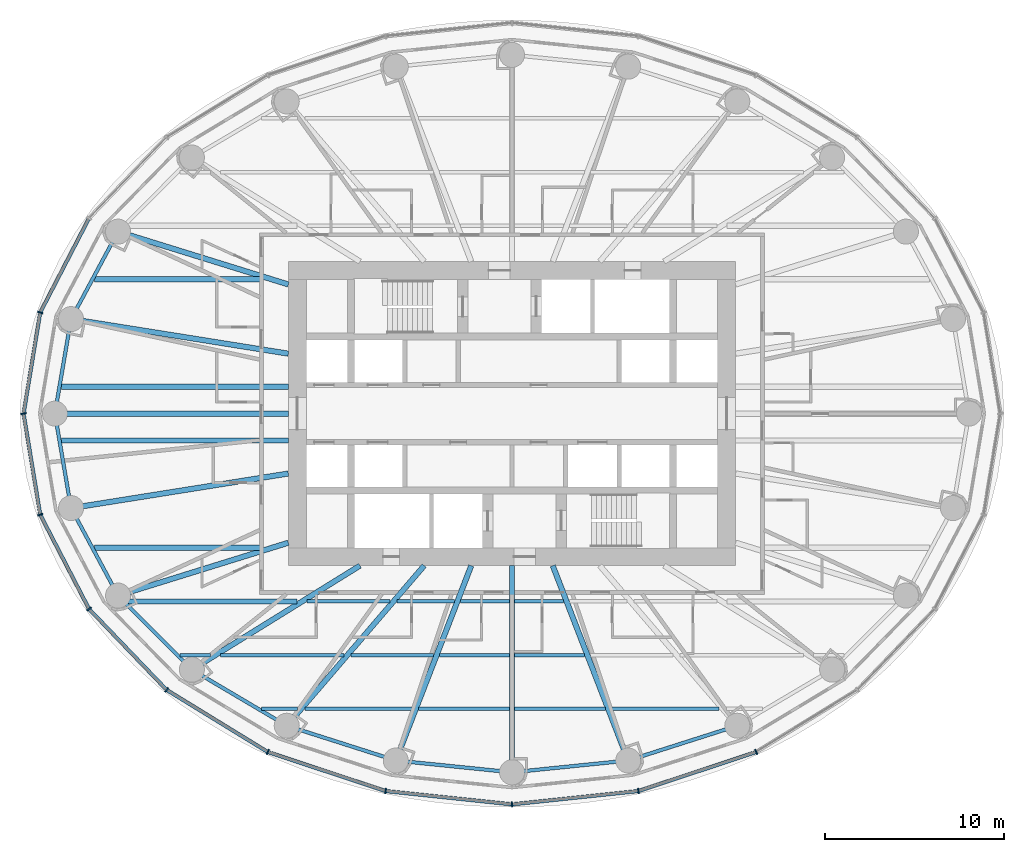
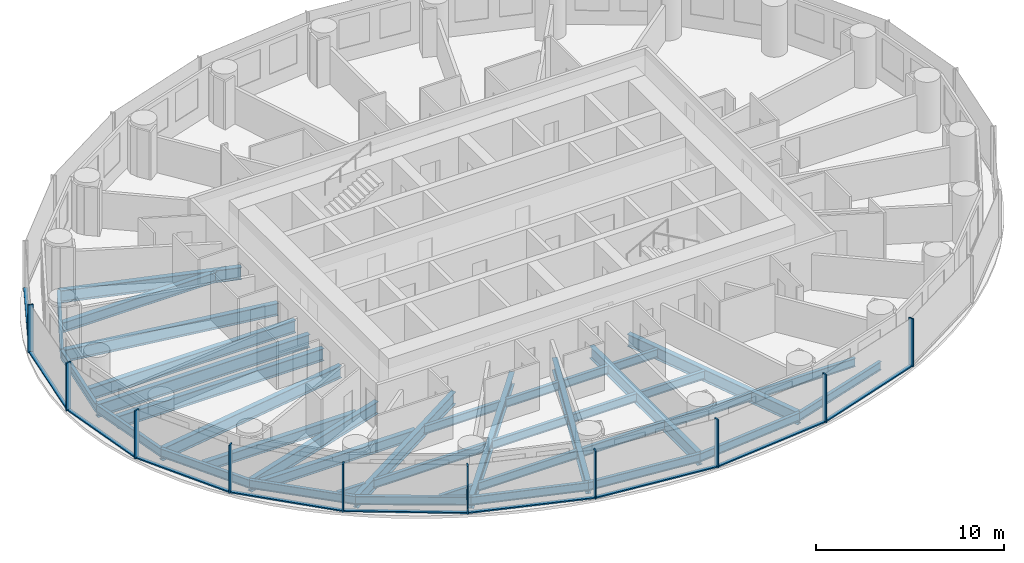
# One storey, part 2 of 14: 39 beams, 20 members, 3 elements without a shape of their own.
"""IFC4 building model written with IfcOpenShell, lengths in metres."""

from ifc_helpers import new_model, si_unit, direction, frame, origin, origin_2d, place, context, subcontext, project, spatial, rectangle, i_section, extrude, material, material_profile, profile_set, type_object, element, aggregate, save


model = new_model("IFC4")

# Units and contexts
model_context = context("Model", 3, precision=1e-05, world=origin(), true_north=direction((0.0, 1.0)))
body_context = subcontext(model_context, "Body", "Model", "MODEL_VIEW")
ifc_project = project(units=[si_unit("LENGTHUNIT", "METRE"), si_unit("AREAUNIT", "SQUARE_METRE"), si_unit("VOLUMEUNIT", "CUBIC_METRE"), si_unit("PLANEANGLEUNIT", "RADIAN"), si_unit("MASSUNIT", "GRAM", prefix="KILO")], contexts=[model_context])

# Site, building, storey
site_placement = place(None, origin())
site = spatial("IfcSite", under=ifc_project, at=site_placement, CompositionType="ELEMENT")
building_placement = place(site_placement, origin())
building = spatial("IfcBuilding", under=site, at=building_placement, Name="Hankou Lantern Tower", CompositionType="ELEMENT")
storey_placement = place(building_placement, frame((0.0, 0.0, 60.60009765625)))
storey = spatial("IfcBuildingStorey", under=building, at=storey_placement, Name="L14", CompositionType="ELEMENT", Elevation=60.60009765625)

# Beams
ifc_material_1 = material(Name="Steel Q355B", Category="steel")
ifc_material_profile_1 = material_profile(ifc_material_1, i_section(OverallWidth=0.199951171875, OverallDepth=0.550048828125, WebThickness=0.010009765625, FlangeThickness=0.01611328125, FilletRadius=0.012939453125, at=origin_2d()), Name="HN550x200x10x16")
ifc_profile_set_1 = profile_set([ifc_material_profile_1], Name="Steel Q355B")
beam_type_1 = type_object("IfcBeamType", Name="EB6 RING BEAM HN550x200x10x16", PredefinedType="SPANDREL", material=ifc_profile_set_1)
beam_1_placement = place(storey_placement, frame((-22.01904296875, 10.170166015625, -0.455078125), z_axis=(-0.473609096023, -0.880735161194, 0.0), x_axis=(0.880735161194, -0.473609096023, 0.0)))
element("IfcBeam", 1, at=beam_1_placement, inside=storey, type_object=beam_type_1, Name="Ring beam R11-R12 L14", PredefinedType="SPANDREL", context=body_context, shape_type="SweptSolid", body=[
    extrude(i_section(OverallWidth=0.199951171875, OverallDepth=0.550048828125, WebThickness=0.010009765625, FlangeThickness=0.01611328125, FilletRadius=0.012939453125, at=origin_2d()), origin(), (0.0, 0.0, 1.0), 5.548828125),
])
for number, where, z_axis, x_axis, name in (
    (2, (-24.64697265625, 5.283203125, -0.455078125), (-0.168489691988, -0.985703415685, 0.0), (0.985703415685, -0.168489691988, 0.0), "Ring beam R12-R13 L14"),
    (3, (-25.550048828125, 0.0, -0.455078125), (0.168489691988, -0.985703415685, 0.0), (0.985703415685, 0.168489691988, 0.0), "Ring beam R13-R14 L14"),
):
    element("IfcBeam", number, at=place(storey_placement, frame(where, z_axis=z_axis, x_axis=x_axis)), inside=storey, type_object=beam_type_1, Name=name, PredefinedType="SPANDREL", context=body_context, shape_type="SweptSolid", body=[
        extrude(i_section(OverallWidth=0.199951171875, OverallDepth=0.550048828125, WebThickness=0.010009765625, FlangeThickness=0.01611328125, FilletRadius=0.012939453125, at=origin_2d()), origin(), (0.0, 0.0, 1.0), 5.35986328125),
    ])
beam_2_placement = place(storey_placement, frame((-24.64697265625, -5.283203125, -0.455078125), z_axis=(0.473609096023, -0.880735161194, 0.0), x_axis=(0.880735161194, 0.473609096023, 0.0)))
element("IfcBeam", 4, at=beam_2_placement, inside=storey, type_object=beam_type_1, Name="Ring beam R14-R15 L14", PredefinedType="SPANDREL", context=body_context, shape_type="SweptSolid", body=[
    extrude(i_section(OverallWidth=0.199951171875, OverallDepth=0.550048828125, WebThickness=0.010009765625, FlangeThickness=0.01611328125, FilletRadius=0.012939453125, at=origin_2d()), origin(), (0.0, 0.0, 1.0), 5.548828125),
])
beam_3_placement = place(storey_placement, frame((-22.01904296875, -10.170166015625, -0.455078125), z_axis=(0.705727798394, -0.708483079949, 0.0), x_axis=(0.708483079949, 0.705727798394, 0.0)))
element("IfcBeam", 5, at=beam_3_placement, inside=storey, type_object=beam_type_1, Name="Ring beam R15-R16 L14", PredefinedType="SPANDREL", context=body_context, shape_type="SweptSolid", body=[
    extrude(i_section(OverallWidth=0.199951171875, OverallDepth=0.550048828125, WebThickness=0.010009765625, FlangeThickness=0.01611328125, FilletRadius=0.012939453125, at=origin_2d()), origin(), (0.0, 0.0, 1.0), 5.84814453125),
])
beam_4_placement = place(storey_placement, frame((-17.891845703125, -14.3134765625, -0.455078125), z_axis=(0.860881533543, -0.508805449268, 0.0), x_axis=(0.508805449268, 0.860881533543, 0.0)))
element("IfcBeam", 6, at=beam_4_placement, inside=storey, type_object=beam_type_1, Name="Ring beam R16-R17 L14", PredefinedType="SPANDREL", context=body_context, shape_type="SweptSolid", body=[
    extrude(i_section(OverallWidth=0.199951171875, OverallDepth=0.550048828125, WebThickness=0.010009765625, FlangeThickness=0.01611328125, FilletRadius=0.012939453125, at=origin_2d()), origin(), (0.0, 0.0, 1.0), 6.15771484375),
])
beam_5_placement = place(storey_placement, frame((-12.5908203125, -17.446533203125, -0.455078125), z_axis=(0.952690479428, -0.303942182671, 0.0), x_axis=(0.303942182671, 0.952690479428, 0.0)))
element("IfcBeam", 7, at=beam_5_placement, inside=storey, type_object=beam_type_1, Name="Ring beam R17-R18 L14", PredefinedType="SPANDREL", context=body_context, shape_type="SweptSolid", body=[
    extrude(i_section(OverallWidth=0.199951171875, OverallDepth=0.550048828125, WebThickness=0.010009765625, FlangeThickness=0.01611328125, FilletRadius=0.012939453125, at=origin_2d()), origin(), (0.0, 0.0, 1.0), 6.398681640625),
])
for number, where, z_axis, x_axis, name in (
    (8, (-6.494873046875, -19.391357421875, -0.455078125), (0.994896616842, -0.100899562915, 0.0), (0.100899562915, 0.994896616842, 0.0), "Ring beam R18-R19 L14"),
    (9, (0.0, -20.050048828125, -0.455078125), (0.994896616842, 0.100899562915, 0.0), (-0.100899562915, 0.994896616842, 0.0), "Ring beam R19-R20 L14"),
):
    element("IfcBeam", number, at=place(storey_placement, frame(where, z_axis=z_axis, x_axis=x_axis)), inside=storey, type_object=beam_type_1, Name=name, PredefinedType="SPANDREL", context=body_context, shape_type="SweptSolid", body=[
        extrude(i_section(OverallWidth=0.199951171875, OverallDepth=0.550048828125, WebThickness=0.010009765625, FlangeThickness=0.01611328125, FilletRadius=0.012939453125, at=origin_2d()), origin(), (0.0, 0.0, 1.0), 6.528076171875),
    ])
beam_6_placement = place(storey_placement, frame((6.494873046875, -19.391357421875, -0.455078125), z_axis=(0.952690479428, 0.303942182671, 0.0), x_axis=(-0.303942182671, 0.952690479428, 0.0)))
element("IfcBeam", 10, at=beam_6_placement, inside=storey, type_object=beam_type_1, Name="Ring beam R20-R21 L14", PredefinedType="SPANDREL", context=body_context, shape_type="SweptSolid", body=[
    extrude(i_section(OverallWidth=0.199951171875, OverallDepth=0.550048828125, WebThickness=0.010009765625, FlangeThickness=0.01611328125, FilletRadius=0.012939453125, at=origin_2d()), origin(), (0.0, 0.0, 1.0), 6.398681640625),
])

# Curtain wall, member
ifc_material_2 = material(Name="Glass, dark grey tinted laminated", Category="glass")
curtain_wall_type = type_object("IfcCurtainWallType", Name="CWA OUTER SKIN LOW-RISE", PredefinedType="USERDEFINED", material=ifc_material_2)
curtain_wall_1_placement = place(storey_placement, origin())
curtain_wall_1 = element("IfcCurtainWall", 11, at=curtain_wall_1_placement, inside=storey, type_object=curtain_wall_type, Name="CWA L14 OS2", ObjectType="OUTER SKIN LOW-RISE", PredefinedType="USERDEFINED")
ifc_material_3 = material(Name="Aluminium, black anodised", Category="aluminium")
ifc_material_profile_2 = material_profile(ifc_material_3, rectangle(XDim=0.080078125, YDim=0.300048828125, at=origin_2d()), Name="MU1 80X300")
ifc_profile_set_2 = profile_set([ifc_material_profile_2], Name="Aluminium, black anodised")
member_type_1 = type_object("IfcMemberType", Name="MU1 OUTER SKIN MULLION 80X300", PredefinedType="MULLION", material=ifc_profile_set_2)
member_1_placement = place(storey_placement, frame((-26.369873046875, 5.652587890625, 0.0), z_axis=(0.0, 0.0, 1.0), x_axis=(-0.317595577365, -0.94822626479, 0.0)))
member_1 = element("IfcMember", 12, at=member_1_placement, type_object=member_type_1, Name="CWA mullion 6", PredefinedType="MULLION", context=body_context, shape_type="SweptSolid", body=[
    extrude(rectangle(XDim=0.080078125, YDim=0.300048828125, at=origin_2d()), origin(), (0.0, 0.0, 1.0), 3.119873046875),
])

# Curtain wall, members
curtain_wall_2_placement = place(storey_placement, origin())
curtain_wall_2 = element("IfcCurtainWall", 13, at=curtain_wall_2_placement, inside=storey, type_object=curtain_wall_type, Name="CWA L14 OS3", ObjectType="OUTER SKIN LOW-RISE", PredefinedType="USERDEFINED")
member_2_placement = place(storey_placement, frame((-27.300048828125, 0.0, 0.0), z_axis=(0.0, 0.0, 1.0), x_axis=(0.162381515188, -0.986728049427, 0.0)))
member_2 = element("IfcMember", 14, at=member_2_placement, type_object=member_type_1, Name="CWA mullion 1", PredefinedType="MULLION", context=body_context, shape_type="SweptSolid", body=[
    extrude(rectangle(XDim=0.080078125, YDim=0.300048828125, at=origin_2d()), origin(), (0.0, 0.0, 1.0), 3.119873046875),
])
member_3_placement = place(storey_placement, frame((-26.369873046875, -5.652587890625, 0.0), z_axis=(0.0, 0.0, 1.0), x_axis=(0.317595577365, -0.94822626479, 0.0)))
member_3 = element("IfcMember", 15, at=member_3_placement, type_object=member_type_1, Name="CWA mullion 2", PredefinedType="MULLION", context=body_context, shape_type="SweptSolid", body=[
    extrude(rectangle(XDim=0.080078125, YDim=0.300048828125, at=origin_2d()), origin(), (0.0, 0.0, 1.0), 3.119873046875),
])
member_4_placement = place(storey_placement, frame((-23.642578125, -10.919921875, 0.0), z_axis=(0.0, 0.0, 1.0), x_axis=(0.585205735974, -0.810884854084, 0.0)))
member_4 = element("IfcMember", 16, at=member_4_placement, type_object=member_type_1, Name="CWA mullion 3", PredefinedType="MULLION", context=body_context, shape_type="SweptSolid", body=[
    extrude(rectangle(XDim=0.080078125, YDim=0.300048828125, at=origin_2d()), origin(), (0.0, 0.0, 1.0), 3.119873046875),
])
member_5_placement = place(storey_placement, frame((-19.303955078125, -15.443115234375, 0.0), z_axis=(0.0, 0.0, 1.0), x_axis=(0.780868809444, -0.624695047553, 0.0)))
member_5 = element("IfcMember", 17, at=member_5_placement, type_object=member_type_1, Name="CWA mullion 4", PredefinedType="MULLION", context=body_context, shape_type="SweptSolid", body=[
    extrude(rectangle(XDim=0.080078125, YDim=0.300048828125, at=origin_2d()), origin(), (0.0, 0.0, 1.0), 3.119873046875),
])
member_6_placement = place(storey_placement, frame((-13.64990234375, -18.9140625, 0.0), z_axis=(0.0, 0.0, 1.0), x_axis=(0.907841299004, -0.419313934686, 0.0)))
member_6 = element("IfcMember", 18, at=member_6_placement, type_object=member_type_1, Name="CWA mullion 5", PredefinedType="MULLION", context=body_context, shape_type="SweptSolid", body=[
    extrude(rectangle(XDim=0.080078125, YDim=0.300048828125, at=origin_2d()), origin(), (0.0, 0.0, 1.0), 3.119873046875),
])
member_7_placement = place(storey_placement, frame((-7.065673828125, -21.095703125, 0.0), z_axis=(0.0, 0.0, 1.0), x_axis=(0.977787659625, -0.209597931016, 0.0)))
member_7 = element("IfcMember", 19, at=member_7_placement, type_object=member_type_1, Name="CWA mullion 6", PredefinedType="MULLION", context=body_context, shape_type="SweptSolid", body=[
    extrude(rectangle(XDim=0.080078125, YDim=0.300048828125, at=origin_2d()), origin(), (0.0, 0.0, 1.0), 3.119873046875),
])

curtain_wall_3_placement = place(storey_placement, origin())
curtain_wall_3 = element("IfcCurtainWall", 20, at=curtain_wall_3_placement, inside=storey, type_object=curtain_wall_type, Name="CWA L14 OS4", ObjectType="OUTER SKIN LOW-RISE", PredefinedType="USERDEFINED")
member_8_placement = place(storey_placement, frame((0.0, -21.840087890625, 0.0), z_axis=(0.0, 0.0, 1.0), x_axis=(0.994499359107, 0.104742659579, 0.0)))
member_8 = element("IfcMember", 21, at=member_8_placement, type_object=member_type_1, Name="CWA mullion 1", PredefinedType="MULLION", context=body_context, shape_type="SweptSolid", body=[
    extrude(rectangle(XDim=0.080078125, YDim=0.300048828125, at=origin_2d()), origin(), (0.0, 0.0, 1.0), 3.119873046875),
])
member_9_placement = place(storey_placement, frame((7.065673828125, -21.095703125, 0.0), z_axis=(0.0, 0.0, 1.0), x_axis=(0.977787659625, 0.209597931016, 0.0)))
member_9 = element("IfcMember", 22, at=member_9_placement, type_object=member_type_1, Name="CWA mullion 2", PredefinedType="MULLION", context=body_context, shape_type="SweptSolid", body=[
    extrude(rectangle(XDim=0.080078125, YDim=0.300048828125, at=origin_2d()), origin(), (0.0, 0.0, 1.0), 3.119873046875),
])
member_10_placement = place(storey_placement, frame((13.64990234375, -18.9140625, 0.0), z_axis=(0.0, 0.0, 1.0), x_axis=(0.907841299004, 0.419313934686, 0.0)))
member_10 = element("IfcMember", 23, at=member_10_placement, type_object=member_type_1, Name="CWA mullion 3", PredefinedType="MULLION", context=body_context, shape_type="SweptSolid", body=[
    extrude(rectangle(XDim=0.080078125, YDim=0.300048828125, at=origin_2d()), origin(), (0.0, 0.0, 1.0), 3.119873046875),
])

# Beams
ifc_material_4 = material(Name="Steel Q355B", Category="steel")
ifc_material_profile_3 = material_profile(ifc_material_4, i_section(OverallWidth=0.300048828125, OverallDepth=0.800048828125, WebThickness=0.013916015625, FlangeThickness=0.02587890625, FilletRadius=0.01806640625, at=origin_2d()), Name="HN800x300x14x26")
ifc_profile_set_3 = profile_set([ifc_material_profile_3], Name="Steel Q355B")
beam_type_2 = type_object("IfcBeamType", Name="RB11 RADIAL BEAM HN800x300x14x26", PredefinedType="BEAM", material=ifc_profile_set_3)
beam_7_placement = place(storey_placement, frame((-12.5, 7.216796875, -0.580078125), z_axis=(-0.955087327755, 0.29632447817, 0.0), x_axis=(-0.29632447817, -0.955087327755, 0.0)))
element("IfcBeam", 24, at=beam_7_placement, inside=storey, type_object=beam_type_2, Name="Radial beam R11 L14", PredefinedType="BEAM", context=body_context, shape_type="SweptSolid", body=[
    extrude(i_section(OverallWidth=0.300048828125, OverallDepth=0.800048828125, WebThickness=0.013916015625, FlangeThickness=0.02587890625, FilletRadius=0.01806640625, at=origin_2d()), origin(), (0.0, 0.0, 1.0), 9.966552734375),
])
for number, where, z_axis, x_axis, name in (
    (25, (-12.5, 3.349365234375, -0.580078125), (-0.987563081343, 0.157223281893, 0.0), (-0.157223281893, -0.987563081343, 0.0), "Radial beam R12 L14"),
    (26, (-12.5, -3.349365234375, -0.580078125), (-0.987563081343, -0.157223281893, 0.0), (0.157223281893, -0.987563081343, 0.0), "Radial beam R14 L14"),
):
    element("IfcBeam", number, at=place(storey_placement, frame(where, z_axis=z_axis, x_axis=x_axis)), inside=storey, type_object=beam_type_2, Name=name, PredefinedType="BEAM", context=body_context, shape_type="SweptSolid", body=[
        extrude(i_section(OverallWidth=0.300048828125, OverallDepth=0.800048828125, WebThickness=0.013916015625, FlangeThickness=0.02587890625, FilletRadius=0.01806640625, at=origin_2d()), origin(), (0.0, 0.0, 1.0), 12.300048828125),
    ])
beam_8_placement = place(storey_placement, frame((-12.5, -7.216796875, -0.580078125), z_axis=(-0.955087327755, -0.29632447817, 0.0), x_axis=(0.29632447817, -0.955087327755, 0.0)))
element("IfcBeam", 27, at=beam_8_placement, inside=storey, type_object=beam_type_2, Name="Radial beam R15 L14", PredefinedType="BEAM", context=body_context, shape_type="SweptSolid", body=[
    extrude(i_section(OverallWidth=0.300048828125, OverallDepth=0.800048828125, WebThickness=0.013916015625, FlangeThickness=0.02587890625, FilletRadius=0.01806640625, at=origin_2d()), origin(), (0.0, 0.0, 1.0), 9.966552734375),
])
beam_9_placement = place(storey_placement, frame((-8.5, -8.5, -0.580078125), z_axis=(-0.850286343288, -0.526320372414, 0.0), x_axis=(0.526320372414, -0.850286343288, 0.0)))
element("IfcBeam", 28, at=beam_9_placement, inside=storey, type_object=beam_type_2, Name="Radial beam R16 L14", PredefinedType="BEAM", context=body_context, shape_type="SweptSolid", body=[
    extrude(i_section(OverallWidth=0.300048828125, OverallDepth=0.800048828125, WebThickness=0.013916015625, FlangeThickness=0.02587890625, FilletRadius=0.01806640625, at=origin_2d()), origin(), (0.0, 0.0, 1.0), 11.04541015625),
])
beam_10_placement = place(storey_placement, frame((-4.907470703125, -8.5, -0.580078125), z_axis=(-0.651519061225, -0.758632264579, 0.0), x_axis=(0.758632264579, -0.651519061225, 0.0)))
element("IfcBeam", 29, at=beam_10_placement, inside=storey, type_object=beam_type_2, Name="Radial beam R17 L14", PredefinedType="BEAM", context=body_context, shape_type="SweptSolid", body=[
    extrude(i_section(OverallWidth=0.300048828125, OverallDepth=0.800048828125, WebThickness=0.013916015625, FlangeThickness=0.02587890625, FilletRadius=0.01806640625, at=origin_2d()), origin(), (0.0, 0.0, 1.0), 11.79296875),
])
beam_11_placement = place(storey_placement, frame((-2.277587890625, -8.5, -0.580078125), z_axis=(-0.361089103374, -0.932531318201, 0.0), x_axis=(0.932531318201, -0.361089103374, 0.0)))
element("IfcBeam", 30, at=beam_11_placement, inside=storey, type_object=beam_type_2, Name="Radial beam R18 L14", PredefinedType="BEAM", context=body_context, shape_type="SweptSolid", body=[
    extrude(i_section(OverallWidth=0.300048828125, OverallDepth=0.800048828125, WebThickness=0.013916015625, FlangeThickness=0.02587890625, FilletRadius=0.01806640625, at=origin_2d()), origin(), (0.0, 0.0, 1.0), 11.679443359375),
])
beam_12_placement = place(storey_placement, frame((0.0, -8.5, -0.580078125), z_axis=(0.0, -1.0, 0.0), x_axis=(1.0, 0.0, 0.0)))
element("IfcBeam", 31, at=beam_12_placement, inside=storey, type_object=beam_type_2, Name="Radial beam R19 L14", PredefinedType="BEAM", context=body_context, shape_type="SweptSolid", body=[
    extrude(i_section(OverallWidth=0.300048828125, OverallDepth=0.800048828125, WebThickness=0.013916015625, FlangeThickness=0.02587890625, FilletRadius=0.01806640625, at=origin_2d()), origin(), (0.0, 0.0, 1.0), 11.550048828125),
])
beam_13_placement = place(storey_placement, frame((2.277587890625, -8.5, -0.580078125), z_axis=(0.361089103374, -0.932531318201, 0.0), x_axis=(0.932531318201, 0.361089103374, 0.0)))
element("IfcBeam", 32, at=beam_13_placement, inside=storey, type_object=beam_type_2, Name="Radial beam R20 L14", PredefinedType="BEAM", context=body_context, shape_type="SweptSolid", body=[
    extrude(i_section(OverallWidth=0.300048828125, OverallDepth=0.800048828125, WebThickness=0.013916015625, FlangeThickness=0.02587890625, FilletRadius=0.01806640625, at=origin_2d()), origin(), (0.0, 0.0, 1.0), 11.679443359375),
])
ifc_material_5 = material(Name="Steel Q355B", Category="steel")
ifc_material_profile_4 = material_profile(ifc_material_5, i_section(OverallWidth=0.300048828125, OverallDepth=0.85009765625, WebThickness=0.01611328125, FlangeThickness=0.027099609375, FilletRadius=0.01806640625, at=origin_2d()), Name="HN850x300x16x27")
ifc_profile_set_4 = profile_set([ifc_material_profile_4], Name="Steel Q355B")
beam_type_3 = type_object("IfcBeamType", Name="RB12 RADIAL BEAM HN850x300x16x27", PredefinedType="BEAM", material=ifc_profile_set_4)
beam_14_placement = place(storey_placement, frame((-12.5, 0.0, -0.60498046875), z_axis=(-1.0, 0.0, 0.0), x_axis=(0.0, -1.0, 0.0)))
element("IfcBeam", 33, at=beam_14_placement, inside=storey, type_object=beam_type_3, Name="Radial beam R13 L14", PredefinedType="BEAM", context=body_context, shape_type="SweptSolid", body=[
    extrude(i_section(OverallWidth=0.300048828125, OverallDepth=0.85009765625, WebThickness=0.01611328125, FlangeThickness=0.027099609375, FilletRadius=0.01806640625, at=origin_2d()), origin(), (0.0, 0.0, 1.0), 13.050048828125),
])
ifc_material_6 = material(Name="Steel Q355B", Category="steel")
ifc_material_profile_5 = material_profile(ifc_material_6, i_section(OverallWidth=0.300048828125, OverallDepth=0.800048828125, WebThickness=0.013916015625, FlangeThickness=0.02587890625, FilletRadius=0.01806640625, at=origin_2d()), Name="HN800x300x14x26")
ifc_profile_set_5 = profile_set([ifc_material_profile_5], Name="Steel Q355B")
beam_type_4 = type_object("IfcBeamType", Name="SB11 SECONDARY BEAM HN800x300x14x26", PredefinedType="JOIST", material=ifc_profile_set_5)
for number, where, z_axis, x_axis, name in (
    (34, (-25.192138671875, -1.5, -0.580078125), (1.0, 0.0, 0.0), (0.0, 1.0, 0.0), "Floor joist J029 L14"),
    (35, (-25.192138671875, 1.5, -0.580078125), (1.0, 0.0, 0.0), (0.0, 1.0, 0.0), "Floor joist J031 L14"),
):
    element("IfcBeam", number, at=place(storey_placement, frame(where, z_axis=z_axis, x_axis=x_axis)), inside=storey, type_object=beam_type_4, Name=name, PredefinedType="JOIST", context=body_context, shape_type="SweptSolid", body=[
        extrude(i_section(OverallWidth=0.300048828125, OverallDepth=0.800048828125, WebThickness=0.013916015625, FlangeThickness=0.02587890625, FilletRadius=0.01806640625, at=origin_2d()), origin(), (0.0, 0.0, 1.0), 12.692138671875),
    ])
ifc_material_7 = material(Name="Steel Q355B", Category="steel")
ifc_material_profile_6 = material_profile(ifc_material_7, i_section(OverallWidth=0.199951171875, OverallDepth=0.550048828125, WebThickness=0.010009765625, FlangeThickness=0.01611328125, FilletRadius=0.012939453125, at=origin_2d()), Name="HN550x200x10x16")
ifc_profile_set_6 = profile_set([ifc_material_profile_6], Name="Steel Q355B")
beam_type_5 = type_object("IfcBeamType", Name="SB6 SECONDARY BEAM HN550x200x10x16", PredefinedType="JOIST", material=ifc_profile_set_6)
beam_15_placement = place(storey_placement, frame((-13.99560546875, -16.5, -0.455078125), z_axis=(1.0, 0.0, 0.0), x_axis=(0.0, 1.0, 0.0)))
element("IfcBeam", 36, at=beam_15_placement, inside=storey, type_object=beam_type_5, Name="Floor joist J001 L14", PredefinedType="JOIST", context=body_context, shape_type="SweptSolid", body=[
    extrude(i_section(OverallWidth=0.199951171875, OverallDepth=0.550048828125, WebThickness=0.010009765625, FlangeThickness=0.01611328125, FilletRadius=0.012939453125, at=origin_2d()), origin(), (0.0, 0.0, 1.0), 2.019775390625),
])
beam_16_placement = place(storey_placement, frame((-11.580322265625, -16.5, -0.455078125), z_axis=(1.0, 0.0, 0.0), x_axis=(0.0, 1.0, 0.0)))
element("IfcBeam", 37, at=beam_16_placement, inside=storey, type_object=beam_type_5, Name="Floor joist J002 L14", PredefinedType="JOIST", context=body_context, shape_type="SweptSolid", body=[
    extrude(i_section(OverallWidth=0.199951171875, OverallDepth=0.550048828125, WebThickness=0.010009765625, FlangeThickness=0.01611328125, FilletRadius=0.012939453125, at=origin_2d()), origin(), (0.0, 0.0, 1.0), 6.044189453125),
])
for number, where, z_axis, x_axis, name in (
    (38, (-5.21435546875, -16.5, -0.455078125), (1.0, 0.0, 0.0), (0.0, 1.0, 0.0), "Floor joist J003 L14"),
    (39, (0.14990234375, -16.5, -0.455078125), (1.0, 0.0, 0.0), (0.0, 1.0, 0.0), "Floor joist J004 L14"),
):
    element("IfcBeam", number, at=place(storey_placement, frame(where, z_axis=z_axis, x_axis=x_axis)), inside=storey, type_object=beam_type_5, Name=name, PredefinedType="JOIST", context=body_context, shape_type="SweptSolid", body=[
        extrude(i_section(OverallWidth=0.199951171875, OverallDepth=0.550048828125, WebThickness=0.010009765625, FlangeThickness=0.01611328125, FilletRadius=0.012939453125, at=origin_2d()), origin(), (0.0, 0.0, 1.0), 5.064453125),
    ])
beam_17_placement = place(storey_placement, frame((5.5361328125, -16.5, -0.455078125), z_axis=(1.0, 0.0, 0.0), x_axis=(0.0, 1.0, 0.0)))
element("IfcBeam", 40, at=beam_17_placement, inside=storey, type_object=beam_type_5, Name="Floor joist J005 L14", PredefinedType="JOIST", context=body_context, shape_type="SweptSolid", body=[
    extrude(i_section(OverallWidth=0.199951171875, OverallDepth=0.550048828125, WebThickness=0.010009765625, FlangeThickness=0.01611328125, FilletRadius=0.012939453125, at=origin_2d()), origin(), (0.0, 0.0, 1.0), 6.044189453125),
])
beam_18_placement = place(storey_placement, frame((-18.560791015625, -13.5, -0.455078125), z_axis=(1.0, 0.0, 0.0), x_axis=(0.0, 1.0, 0.0)))
element("IfcBeam", 41, at=beam_18_placement, inside=storey, type_object=beam_type_5, Name="Floor joist J007 L14", PredefinedType="JOIST", context=body_context, shape_type="SweptSolid", body=[
    extrude(i_section(OverallWidth=0.199951171875, OverallDepth=0.550048828125, WebThickness=0.010009765625, FlangeThickness=0.01611328125, FilletRadius=0.012939453125, at=origin_2d()), origin(), (0.0, 0.0, 1.0), 1.697998046875),
])
beam_19_placement = place(storey_placement, frame((-16.292724609375, -13.5, -0.455078125), z_axis=(1.0, 0.0, 0.0), x_axis=(0.0, 1.0, 0.0)))
element("IfcBeam", 42, at=beam_19_placement, inside=storey, type_object=beam_type_5, Name="Floor joist J008 L14", PredefinedType="JOIST", context=body_context, shape_type="SweptSolid", body=[
    extrude(i_section(OverallWidth=0.199951171875, OverallDepth=0.550048828125, WebThickness=0.010009765625, FlangeThickness=0.01611328125, FilletRadius=0.012939453125, at=origin_2d()), origin(), (0.0, 0.0, 1.0), 6.893310546875),
])
beam_20_placement = place(storey_placement, frame((-9.00390625, -13.5, -0.455078125), z_axis=(1.0, 0.0, 0.0), x_axis=(0.0, 1.0, 0.0)))
element("IfcBeam", 43, at=beam_20_placement, inside=storey, type_object=beam_type_5, Name="Floor joist J009 L14", PredefinedType="JOIST", context=body_context, shape_type="SweptSolid", body=[
    extrude(i_section(OverallWidth=0.199951171875, OverallDepth=0.550048828125, WebThickness=0.010009765625, FlangeThickness=0.01611328125, FilletRadius=0.012939453125, at=origin_2d()), origin(), (0.0, 0.0, 1.0), 4.62939453125),
])
for number, where, z_axis, x_axis, name in (
    (44, (-4.052734375, -13.5, -0.455078125), (1.0, 0.0, 0.0), (0.0, 1.0, 0.0), "Floor joist J010 L14"),
    (45, (0.14990234375, -13.5, -0.455078125), (1.0, 0.0, 0.0), (0.0, 1.0, 0.0), "Floor joist J011 L14"),
):
    element("IfcBeam", number, at=place(storey_placement, frame(where, z_axis=z_axis, x_axis=x_axis)), inside=storey, type_object=beam_type_5, Name=name, PredefinedType="JOIST", context=body_context, shape_type="SweptSolid", body=[
        extrude(i_section(OverallWidth=0.199951171875, OverallDepth=0.550048828125, WebThickness=0.010009765625, FlangeThickness=0.01611328125, FilletRadius=0.012939453125, at=origin_2d()), origin(), (0.0, 0.0, 1.0), 3.90283203125),
    ])
beam_21_placement = place(storey_placement, frame((-11.446044921875, -10.5, -0.455078125), z_axis=(1.0, 0.0, 0.0), x_axis=(0.0, 1.0, 0.0)))
element("IfcBeam", 46, at=beam_21_placement, inside=storey, type_object=beam_type_5, Name="Floor joist J016 L14", PredefinedType="JOIST", context=body_context, shape_type="SweptSolid", body=[
    extrude(i_section(OverallWidth=0.199951171875, OverallDepth=0.550048828125, WebThickness=0.010009765625, FlangeThickness=0.01611328125, FilletRadius=0.012939453125, at=origin_2d()), origin(), (0.0, 0.0, 1.0), 4.623291015625),
])
beam_22_placement = place(storey_placement, frame((-6.427490234375, -10.5, -0.455078125), z_axis=(1.0, 0.0, 0.0), x_axis=(0.0, 1.0, 0.0)))
element("IfcBeam", 47, at=beam_22_placement, inside=storey, type_object=beam_type_5, Name="Floor joist J017 L14", PredefinedType="JOIST", context=body_context, shape_type="SweptSolid", body=[
    extrude(i_section(OverallWidth=0.199951171875, OverallDepth=0.550048828125, WebThickness=0.010009765625, FlangeThickness=0.01611328125, FilletRadius=0.012939453125, at=origin_2d()), origin(), (0.0, 0.0, 1.0), 3.214599609375),
])
for number, where, z_axis, x_axis, name in (
    (48, (-2.89111328125, -10.5, -0.455078125), (1.0, 0.0, 0.0), (0.0, 1.0, 0.0), "Floor joist J018 L14"),
    (49, (0.14990234375, -10.5, -0.455078125), (1.0, 0.0, 0.0), (0.0, 1.0, 0.0), "Floor joist J019 L14"),
):
    element("IfcBeam", number, at=place(storey_placement, frame(where, z_axis=z_axis, x_axis=x_axis)), inside=storey, type_object=beam_type_5, Name=name, PredefinedType="JOIST", context=body_context, shape_type="SweptSolid", body=[
        extrude(i_section(OverallWidth=0.199951171875, OverallDepth=0.550048828125, WebThickness=0.010009765625, FlangeThickness=0.01611328125, FilletRadius=0.012939453125, at=origin_2d()), origin(), (0.0, 0.0, 1.0), 2.7412109375),
    ])
ifc_material_8 = material(Name="Steel Q355B", Category="steel")
ifc_material_profile_7 = material_profile(ifc_material_8, i_section(OverallWidth=0.300048828125, OverallDepth=0.64990234375, WebThickness=0.010986328125, FlangeThickness=0.01708984375, FilletRadius=0.01806640625, at=origin_2d()), Name="HN650x300x11x17")
ifc_profile_set_7 = profile_set([ifc_material_profile_7], Name="Steel Q355B")
beam_type_6 = type_object("IfcBeamType", Name="SB8 SECONDARY BEAM HN650x300x11x17", PredefinedType="JOIST", material=ifc_profile_set_7)
beam_23_placement = place(storey_placement, frame((-21.54931640625, -10.5, -0.505126953125), z_axis=(1.0, 0.0, 0.0), x_axis=(0.0, 1.0, 0.0)))
element("IfcBeam", 50, at=beam_23_placement, inside=storey, type_object=beam_type_6, Name="Floor joist J015 L14", PredefinedType="JOIST", context=body_context, shape_type="SweptSolid", body=[
    extrude(i_section(OverallWidth=0.300048828125, OverallDepth=0.64990234375, WebThickness=0.010986328125, FlangeThickness=0.01708984375, FilletRadius=0.01806640625, at=origin_2d()), origin(), (0.0, 0.0, 1.0), 9.533203125),
])
for number, where, z_axis, x_axis, name in (
    (51, (-23.341552734375, -7.5, -0.505126953125), (1.0, 0.0, 0.0), (0.0, 1.0, 0.0), "Floor joist J023 L14"),
    (52, (-23.341552734375, 7.5, -0.505126953125), (1.0, 0.0, 0.0), (0.0, 1.0, 0.0), "Floor joist J037 L14"),
):
    element("IfcBeam", number, at=place(storey_placement, frame(where, z_axis=z_axis, x_axis=x_axis)), inside=storey, type_object=beam_type_6, Name=name, PredefinedType="JOIST", context=body_context, shape_type="SweptSolid", body=[
        extrude(i_section(OverallWidth=0.300048828125, OverallDepth=0.64990234375, WebThickness=0.010986328125, FlangeThickness=0.01708984375, FilletRadius=0.01806640625, at=origin_2d()), origin(), (0.0, 0.0, 1.0), 9.4228515625),
    ])

# Member
ifc_material_9 = material(Name="Aluminium, black anodised", Category="aluminium")
ifc_material_profile_8 = material_profile(ifc_material_9, rectangle(XDim=0.199951171875, YDim=0.080078125, at=origin_2d()), Name="TR1 200X80")
ifc_profile_set_8 = profile_set([ifc_material_profile_8], Name="Aluminium, black anodised")
member_type_2 = type_object("IfcMemberType", Name="TR1 OUTER SKIN TRANSOM 200X80", PredefinedType="USERDEFINED", material=ifc_profile_set_8)
member_11_placement = place(storey_placement, frame((-23.660888671875, 10.884521484375, 0.039794921875), z_axis=(-0.459786096495, -0.888029698529, 0.0), x_axis=(0.888029698529, -0.459786096495, 0.0)))
member_11 = element("IfcMember", 53, at=member_11_placement, type_object=member_type_2, Name="CWA transom 5", ObjectType="TRANSOM", PredefinedType="USERDEFINED", context=body_context, shape_type="SweptSolid", body=[
    extrude(rectangle(XDim=0.199951171875, YDim=0.080078125, at=origin_2d()), origin(), (0.0, 0.0, 1.0), 5.8515625),
])

member_12_placement = place(storey_placement, frame((-26.376220703125, 5.613037109375, 0.039794921875), z_axis=(-0.162387045529, -0.986727139307, 0.0), x_axis=(0.986727139307, -0.162387045529, 0.0)))
member_12 = element("IfcMember", 54, at=member_12_placement, type_object=member_type_2, Name="CWA transom 6", ObjectType="TRANSOM", PredefinedType="USERDEFINED", context=body_context, shape_type="SweptSolid", body=[
    extrude(rectangle(XDim=0.199951171875, YDim=0.080078125, at=origin_2d()), origin(), (0.0, 0.0, 1.0), 5.6484375),
])

aggregate(curtain_wall_1, [member_1, member_11, member_12])

member_13_placement = place(storey_placement, frame((-27.29345703125, -0.03955078125, 0.039794921875), z_axis=(0.162387045529, -0.986727139307, 0.0), x_axis=(0.986727139307, 0.162387045529, 0.0)))
member_13 = element("IfcMember", 55, at=member_13_placement, type_object=member_type_2, Name="CWA transom 1", ObjectType="TRANSOM", PredefinedType="USERDEFINED", context=body_context, shape_type="SweptSolid", body=[
    extrude(rectangle(XDim=0.199951171875, YDim=0.080078125, at=origin_2d()), origin(), (0.0, 0.0, 1.0), 5.6484375),
])

member_14_placement = place(storey_placement, frame((-26.351318359375, -5.688232421875, 0.039794921875), z_axis=(0.459786096495, -0.888029698529, 0.0), x_axis=(0.888029698529, 0.459786096495, 0.0)))
member_14 = element("IfcMember", 56, at=member_14_placement, type_object=member_type_2, Name="CWA transom 2", ObjectType="TRANSOM", PredefinedType="USERDEFINED", context=body_context, shape_type="SweptSolid", body=[
    extrude(rectangle(XDim=0.199951171875, YDim=0.080078125, at=origin_2d()), origin(), (0.0, 0.0, 1.0), 5.8515625),
])

member_15_placement = place(storey_placement, frame((-23.61474609375, -10.948974609375, 0.039794921875), z_axis=(0.692215537374, -0.721690827029, 0.0), x_axis=(0.721690827029, 0.692215537374, 0.0)))
member_15 = element("IfcMember", 57, at=member_15_placement, type_object=member_type_2, Name="CWA transom 3", ObjectType="TRANSOM", PredefinedType="USERDEFINED", context=body_context, shape_type="SweptSolid", body=[
    extrude(rectangle(XDim=0.199951171875, YDim=0.080078125, at=origin_2d()), origin(), (0.0, 0.0, 1.0), 6.187255859375),
])

member_16_placement = place(storey_placement, frame((-19.27001953125, -15.464111328125, 0.039794921875), z_axis=(0.85223969557, -0.523151508929, 0.0), x_axis=(0.523151508929, 0.85223969557, 0.0)))
member_16 = element("IfcMember", 58, at=member_16_placement, type_object=member_type_2, Name="CWA transom 4", ObjectType="TRANSOM", PredefinedType="USERDEFINED", context=body_context, shape_type="SweptSolid", body=[
    extrude(rectangle(XDim=0.199951171875, YDim=0.080078125, at=origin_2d()), origin(), (0.0, 0.0, 1.0), 6.554443359375),
])

member_17_placement = place(storey_placement, frame((-13.612060546875, -18.926513671875, 0.039794921875), z_axis=(0.949237318771, -0.314560825044, 0.0), x_axis=(0.314560825044, 0.949237318771, 0.0)))
member_17 = element("IfcMember", 59, at=member_17_placement, type_object=member_type_2, Name="CWA transom 5", ObjectType="TRANSOM", PredefinedType="USERDEFINED", context=body_context, shape_type="SweptSolid", body=[
    extrude(rectangle(XDim=0.199951171875, YDim=0.080078125, at=origin_2d()), origin(), (0.0, 0.0, 1.0), 6.8564453125),
])

member_18_placement = place(storey_placement, frame((-7.02587890625, -21.10009765625, 0.039794921875), z_axis=(0.994502215033, -0.104715539888, 0.0), x_axis=(0.104715539888, 0.994502215033, 0.0)))
member_18 = element("IfcMember", 60, at=member_18_placement, type_object=member_type_2, Name="CWA transom 6", ObjectType="TRANSOM", PredefinedType="USERDEFINED", context=body_context, shape_type="SweptSolid", body=[
    extrude(rectangle(XDim=0.199951171875, YDim=0.080078125, at=origin_2d()), origin(), (0.0, 0.0, 1.0), 7.024658203125),
])

aggregate(curtain_wall_2, [member_2, member_3, member_4, member_5, member_6, member_7, member_13, member_14, member_15, member_16, member_17, member_18])

member_19_placement = place(storey_placement, frame((0.039794921875, -21.835693359375, 0.039794921875), z_axis=(0.994502215033, 0.104715539888, 0.0), x_axis=(-0.104715539888, 0.994502215033, 0.0)))
member_19 = element("IfcMember", 61, at=member_19_placement, type_object=member_type_2, Name="CWA transom 1", ObjectType="TRANSOM", PredefinedType="USERDEFINED", context=body_context, shape_type="SweptSolid", body=[
    extrude(rectangle(XDim=0.199951171875, YDim=0.080078125, at=origin_2d()), origin(), (0.0, 0.0, 1.0), 7.024658203125),
])

member_20_placement = place(storey_placement, frame((7.103759765625, -21.083251953125, 0.039794921875), z_axis=(0.949237318771, 0.314560825044, 0.0), x_axis=(-0.314560825044, 0.949237318771, 0.0)))
member_20 = element("IfcMember", 62, at=member_20_placement, type_object=member_type_2, Name="CWA transom 2", ObjectType="TRANSOM", PredefinedType="USERDEFINED", context=body_context, shape_type="SweptSolid", body=[
    extrude(rectangle(XDim=0.199951171875, YDim=0.080078125, at=origin_2d()), origin(), (0.0, 0.0, 1.0), 6.8564453125),
])

aggregate(curtain_wall_3, [member_8, member_9, member_10, member_19, member_20])

save(model, "model.ifc")
